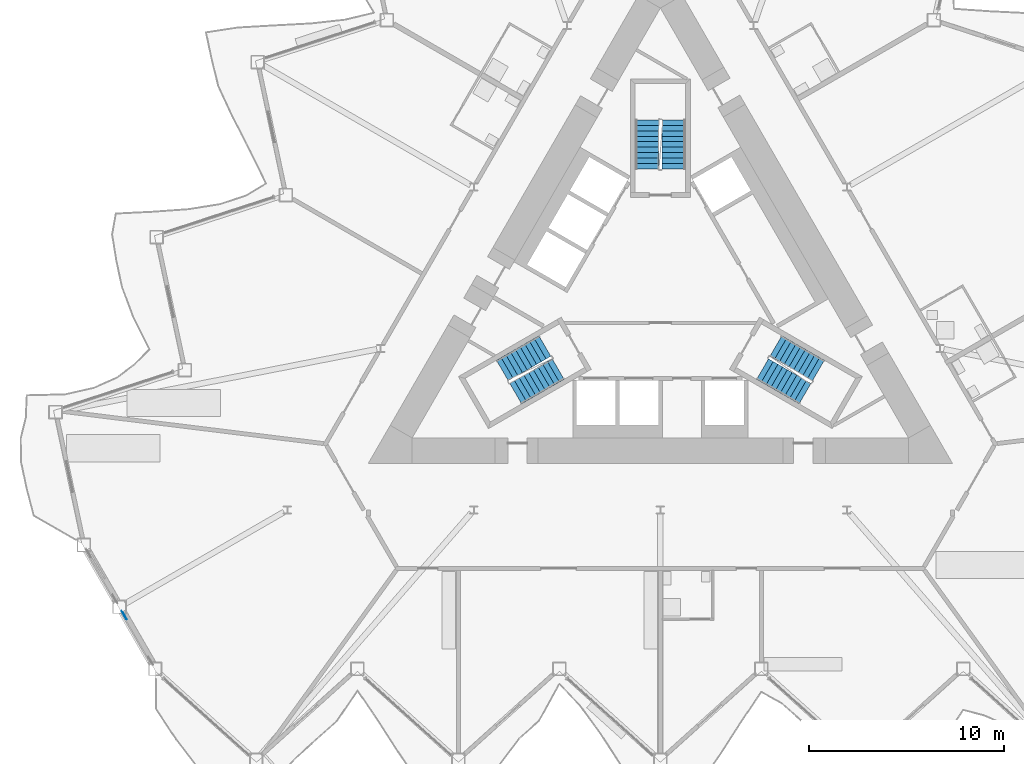
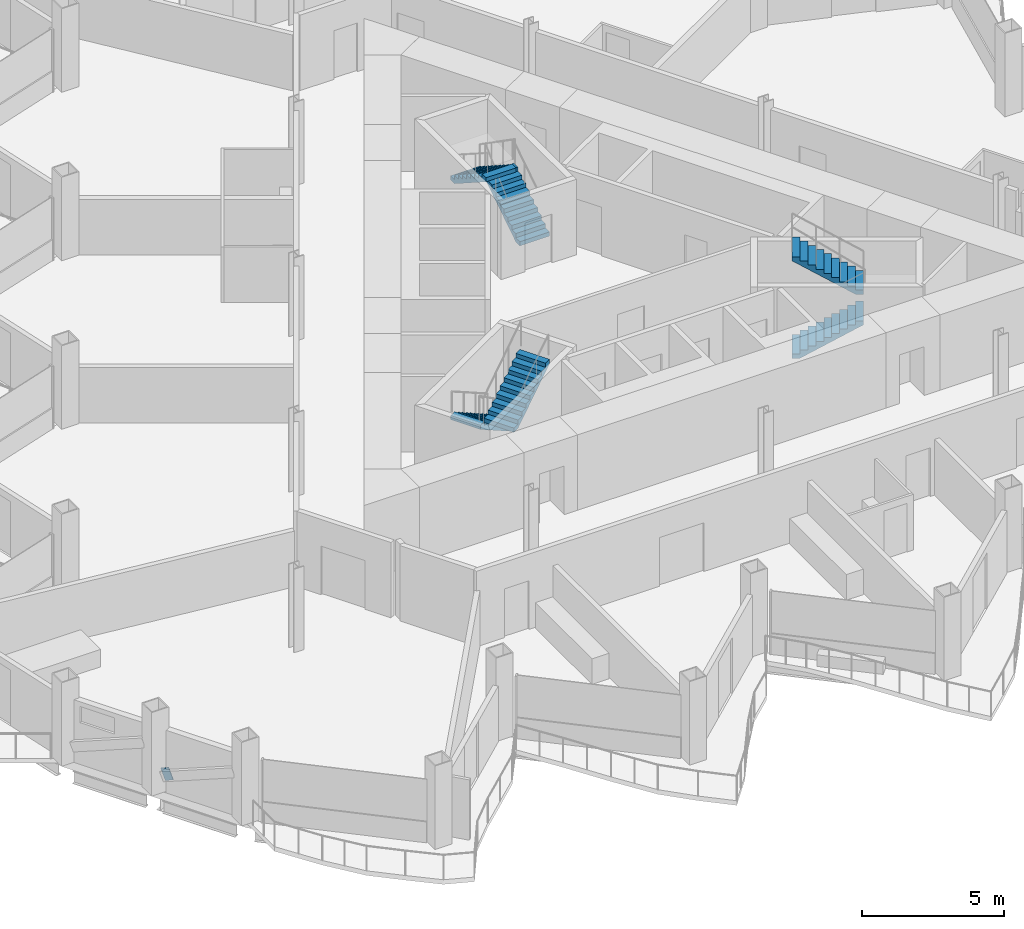
# One storey, part 15 of 24: 6 stair flights, 1 discrete accessory, 3 elements without a shape of their own.
"""IFC4 building model written with IfcOpenShell, lengths in metres."""

from ifc_helpers import new_model, si_unit, direction, frame, origin, origin_2d, place, context, subcontext, project, spatial, polyline, rectangle, outline, extrude, material, material_profile, profile_set, type_object, element, aggregate, save


model = new_model("IFC4")

# Units and contexts
model_context = context("Model", 3, precision=1e-05, world=origin(), true_north=direction((0.0, 1.0)))
body_context = subcontext(model_context, "Body", "Model", "MODEL_VIEW")
ifc_project = project(units=[si_unit("LENGTHUNIT", "METRE"), si_unit("AREAUNIT", "SQUARE_METRE"), si_unit("VOLUMEUNIT", "CUBIC_METRE"), si_unit("PLANEANGLEUNIT", "RADIAN"), si_unit("MASSUNIT", "GRAM", prefix="KILO")], contexts=[model_context])

# Site, building, storey
site_placement = place(None, origin())
site = spatial("IfcSite", under=ifc_project, at=site_placement, CompositionType="ELEMENT")
building_placement = place(site_placement, origin())
building = spatial("IfcBuilding", under=site, at=building_placement, Name="Cormorant Prow Tower", CompositionType="ELEMENT")
storey_placement = place(building_placement, frame((0.0, 0.0, 270.60009765625)))
storey = spatial("IfcBuildingStorey", under=building, at=storey_placement, Name="L61", CompositionType="ELEMENT", Elevation=270.60009765625)

# Stair, stair flights
ifc_material_1 = material(Name="Exit stair 20 risers")
stair_type = type_object("IfcStairType", Name="Exit stair 20 risers", PredefinedType="HALF_TURN_STAIR", material=ifc_material_1)
stair_1_placement = place(storey_placement, origin())
stair_1 = element("IfcStair", 1, at=stair_1_placement, inside=storey, type_object=stair_type, Name="L61 Exit stair ST1", PredefinedType="HALF_TURN_STAIR")
ifc_material_2 = material(Name="Concrete 5000 psi", Category="concrete")
stair_flight_type = type_object("IfcStairFlightType", Name="Stair flight 1219", PredefinedType="STRAIGHT", material=ifc_material_2)
stair_flight_1_placement = place(storey_placement, frame((-5.93310546875, -2.635009765625, 0.0), z_axis=(0.0, 0.0, 1.0), x_axis=(-0.866025403784, -0.5, 0.0)))
stair_flight_1 = element("IfcStairFlight", 2, at=stair_flight_1_placement, type_object=stair_flight_type, Name="ST1 flight 1", NumberOfRisers=10, NumberOfTreads=9, PredefinedType="STRAIGHT", RiserHeight=0.18, TreadLength=0.28, context=body_context, shape_type="SweptSolid", body=[
    extrude(outline(polyline([(0.0, 0.0), (0.0, 0.179931640625), (0.280029296875, 0.179931640625), (0.280029296875, 0.360107421875), (0.56005859375, 0.360107421875), (0.56005859375, 0.5400390625), (0.840087890625, 0.5400390625), (0.840087890625, 0.719970703125), (1.1201171875, 0.719970703125), (1.1201171875, 0.89990234375), (1.39990234375, 0.89990234375), (1.39990234375, 1.080078125), (1.679931640625, 1.080078125), (1.679931640625, 1.260009765625), (1.9599609375, 1.260009765625), (1.9599609375, 1.43994140625), (2.239990234375, 1.43994140625), (2.239990234375, 1.6201171875), (2.52001953125, 1.6201171875), (2.52001953125, 1.800048828125), (2.52001953125, 1.44189453125), (0.277099609375, 0.0), (0.0, 0.0)])), frame((0.0, 0.609375, 0.0), z_axis=(0.0, -1.0, 0.0), x_axis=(1.0, 0.0, 0.0)), (0.0, 0.0, 1.0), 1.218994140625),
])
stair_flight_2_placement = place(storey_placement, frame((-7.43115234375, -5.080810546875, 1.7998046875), z_axis=(0.0, 0.0, 1.0), x_axis=(0.866025403784, 0.5, 0.0)))
stair_flight_2 = element("IfcStairFlight", 3, at=stair_flight_2_placement, type_object=stair_flight_type, Name="ST1 flight 2", NumberOfRisers=10, NumberOfTreads=9, PredefinedType="STRAIGHT", RiserHeight=0.18, TreadLength=0.28, context=body_context, shape_type="SweptSolid", body=[
    extrude(outline(polyline([(0.0, 0.0), (0.0, 0.179931640625), (0.280029296875, 0.179931640625), (0.280029296875, 0.360107421875), (0.56005859375, 0.360107421875), (0.56005859375, 0.5400390625), (0.840087890625, 0.5400390625), (0.840087890625, 0.719970703125), (1.1201171875, 0.719970703125), (1.1201171875, 0.89990234375), (1.39990234375, 0.89990234375), (1.39990234375, 1.080078125), (1.679931640625, 1.080078125), (1.679931640625, 1.260009765625), (1.9599609375, 1.260009765625), (1.9599609375, 1.43994140625), (2.239990234375, 1.43994140625), (2.239990234375, 1.6201171875), (2.52001953125, 1.6201171875), (2.52001953125, 1.800048828125), (2.52001953125, 1.44189453125), (0.277099609375, 0.0), (0.0, 0.0)])), frame((0.0, 0.609375, 0.0), z_axis=(0.0, -1.0, 0.0), x_axis=(1.0, 0.0, 0.0)), (0.0, 0.0, 1.0), 1.218994140625),
])
aggregate(stair_1, [stair_flight_1, stair_flight_2])

stair_2_placement = place(storey_placement, origin())
stair_2 = element("IfcStair", 4, at=stair_2_placement, inside=storey, type_object=stair_type, Name="L61 Exit stair ST2", PredefinedType="HALF_TURN_STAIR")
stair_flight_3_placement = place(storey_placement, frame((5.24853515625, -3.82080078125, 0.0), z_axis=(0.0, 0.0, 1.0), x_axis=(0.866025403784, -0.5, 0.0)))
stair_flight_3 = element("IfcStairFlight", 5, at=stair_flight_3_placement, type_object=stair_flight_type, Name="ST2 flight 1", NumberOfRisers=10, NumberOfTreads=9, PredefinedType="STRAIGHT", RiserHeight=0.18, TreadLength=0.28, context=body_context, shape_type="SweptSolid", body=[
    extrude(outline(polyline([(0.0, 0.0), (0.0, 0.179931640625), (0.280029296875, 0.179931640625), (0.280029296875, 0.360107421875), (0.56005859375, 0.360107421875), (0.56005859375, 0.5400390625), (0.840087890625, 0.5400390625), (0.840087890625, 0.719970703125), (1.1201171875, 0.719970703125), (1.1201171875, 0.89990234375), (1.39990234375, 0.89990234375), (1.39990234375, 1.080078125), (1.679931640625, 1.080078125), (1.679931640625, 1.260009765625), (1.9599609375, 1.260009765625), (1.9599609375, 1.43994140625), (2.239990234375, 1.43994140625), (2.239990234375, 1.6201171875), (2.52001953125, 1.6201171875), (2.52001953125, 1.800048828125), (2.52001953125, 1.44189453125), (0.277099609375, 0.0), (0.0, 0.0)])), frame((0.0, 0.609375, 0.0), z_axis=(0.0, -1.0, 0.0), x_axis=(1.0, 0.0, 0.0)), (0.0, 0.0, 1.0), 1.218994140625),
])
stair_flight_4_placement = place(storey_placement, frame((8.115478515625, -3.89501953125, 1.7998046875), z_axis=(0.0, 0.0, 1.0), x_axis=(-0.866025403784, 0.5, 0.0)))
stair_flight_4 = element("IfcStairFlight", 6, at=stair_flight_4_placement, type_object=stair_flight_type, Name="ST2 flight 2", NumberOfRisers=10, NumberOfTreads=9, PredefinedType="STRAIGHT", RiserHeight=0.18, TreadLength=0.28, context=body_context, shape_type="SweptSolid", body=[
    extrude(outline(polyline([(0.0, 0.0), (0.0, 0.179931640625), (0.280029296875, 0.179931640625), (0.280029296875, 0.360107421875), (0.56005859375, 0.360107421875), (0.56005859375, 0.5400390625), (0.840087890625, 0.5400390625), (0.840087890625, 0.719970703125), (1.1201171875, 0.719970703125), (1.1201171875, 0.89990234375), (1.39990234375, 0.89990234375), (1.39990234375, 1.080078125), (1.679931640625, 1.080078125), (1.679931640625, 1.260009765625), (1.9599609375, 1.260009765625), (1.9599609375, 1.43994140625), (2.239990234375, 1.43994140625), (2.239990234375, 1.6201171875), (2.52001953125, 1.6201171875), (2.52001953125, 1.800048828125), (2.52001953125, 1.44189453125), (0.277099609375, 0.0), (0.0, 0.0)])), frame((0.0, 0.609375, 0.0), z_axis=(0.0, -1.0, 0.0), x_axis=(1.0, 0.0, 0.0)), (0.0, 0.0, 1.0), 1.218994140625),
])
aggregate(stair_2, [stair_flight_3, stair_flight_4])

stair_3_placement = place(storey_placement, origin())
stair_3 = element("IfcStair", 7, at=stair_3_placement, inside=storey, type_object=stair_type, Name="L61 Exit stair ST3", PredefinedType="HALF_TURN_STAIR")
stair_flight_5_placement = place(storey_placement, frame((0.6845703125, 6.455810546875, 0.0), z_axis=(0.0, 0.0, 1.0), x_axis=(0.0, 1.0, 0.0)))
stair_flight_5 = element("IfcStairFlight", 8, at=stair_flight_5_placement, type_object=stair_flight_type, Name="ST3 flight 1", NumberOfRisers=10, NumberOfTreads=9, PredefinedType="STRAIGHT", RiserHeight=0.18, TreadLength=0.28, context=body_context, shape_type="SweptSolid", body=[
    extrude(outline(polyline([(0.0, 0.0), (0.0, 0.179931640625), (0.280029296875, 0.179931640625), (0.280029296875, 0.360107421875), (0.56005859375, 0.360107421875), (0.56005859375, 0.5400390625), (0.840087890625, 0.5400390625), (0.840087890625, 0.719970703125), (1.1201171875, 0.719970703125), (1.1201171875, 0.89990234375), (1.39990234375, 0.89990234375), (1.39990234375, 1.080078125), (1.679931640625, 1.080078125), (1.679931640625, 1.260009765625), (1.9599609375, 1.260009765625), (1.9599609375, 1.43994140625), (2.239990234375, 1.43994140625), (2.239990234375, 1.6201171875), (2.52001953125, 1.6201171875), (2.52001953125, 1.800048828125), (2.52001953125, 1.44189453125), (0.277099609375, 0.0), (0.0, 0.0)])), frame((0.0, 0.609375, 0.0), z_axis=(0.0, -1.0, 0.0), x_axis=(1.0, 0.0, 0.0)), (0.0, 0.0, 1.0), 1.218994140625),
])
stair_flight_6_placement = place(storey_placement, frame((-0.6845703125, 8.975830078125, 1.7998046875), z_axis=(0.0, 0.0, 1.0), x_axis=(0.0, -1.0, 0.0)))
stair_flight_6 = element("IfcStairFlight", 9, at=stair_flight_6_placement, type_object=stair_flight_type, Name="ST3 flight 2", NumberOfRisers=10, NumberOfTreads=9, PredefinedType="STRAIGHT", RiserHeight=0.18, TreadLength=0.28, context=body_context, shape_type="SweptSolid", body=[
    extrude(outline(polyline([(0.0, 0.0), (0.0, 0.179931640625), (0.280029296875, 0.179931640625), (0.280029296875, 0.360107421875), (0.56005859375, 0.360107421875), (0.56005859375, 0.5400390625), (0.840087890625, 0.5400390625), (0.840087890625, 0.719970703125), (1.1201171875, 0.719970703125), (1.1201171875, 0.89990234375), (1.39990234375, 0.89990234375), (1.39990234375, 1.080078125), (1.679931640625, 1.080078125), (1.679931640625, 1.260009765625), (1.9599609375, 1.260009765625), (1.9599609375, 1.43994140625), (2.239990234375, 1.43994140625), (2.239990234375, 1.6201171875), (2.52001953125, 1.6201171875), (2.52001953125, 1.800048828125), (2.52001953125, 1.44189453125), (0.277099609375, 0.0), (0.0, 0.0)])), frame((0.0, 0.609375, 0.0), z_axis=(0.0, -1.0, 0.0), x_axis=(1.0, 0.0, 0.0)), (0.0, 0.0, 1.0), 1.218994140625),
])
aggregate(stair_3, [stair_flight_5, stair_flight_6])

# Discrete accessory
ifc_material_3 = material(Name="Structural steel ASTM A500 Gr C", Category="steel")
ifc_material_profile = material_profile(ifc_material_3, rectangle(XDim=0.031982421875, YDim=0.506103515625, at=origin_2d()), Name="Gusset plate 32x506")
ifc_profile_set = profile_set([ifc_material_profile], Name="Structural steel ASTM A500 Gr C")
discrete_accessory_type = type_object("IfcDiscreteAccessoryType", Name="Gusset plate 32x506", PredefinedType="BRACKET", material=ifc_profile_set)
discrete_accessory_placement = place(storey_placement, frame((-27.454833984375, -16.59375, 0.863037109375), z_axis=(-0.462538490196, 0.801593854051, -0.378821116405), x_axis=(-0.866147934042, -0.499787711288, 0.0)))
element("IfcDiscreteAccessory", 10, at=discrete_accessory_placement, inside=storey, type_object=discrete_accessory_type, Name="Gusset plate GP2 L61.WSW01.g0", PredefinedType="BRACKET", context=body_context, shape_type="SweptSolid", body=[
    extrude(rectangle(XDim=0.031982421875, YDim=0.506103515625, at=origin_2d()), origin(), (0.0, 0.0, 1.0), 0.349853515625),
])

save(model, "model.ifc")
